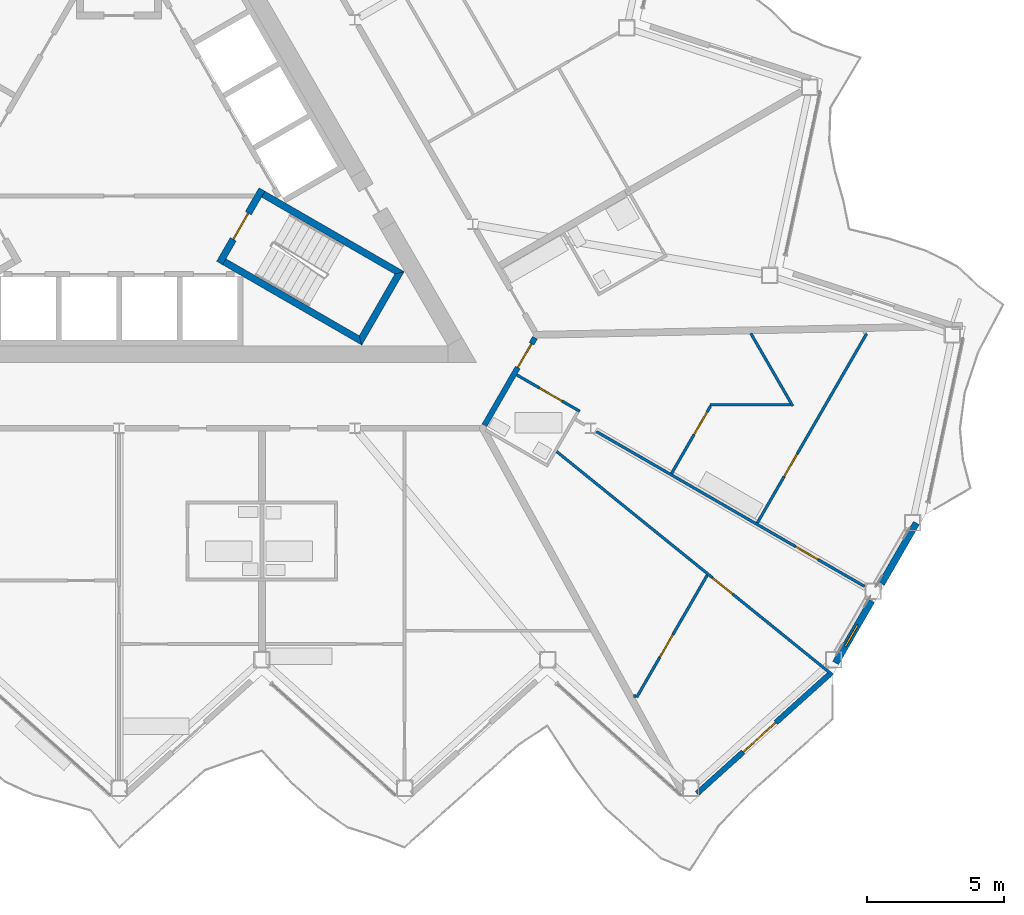
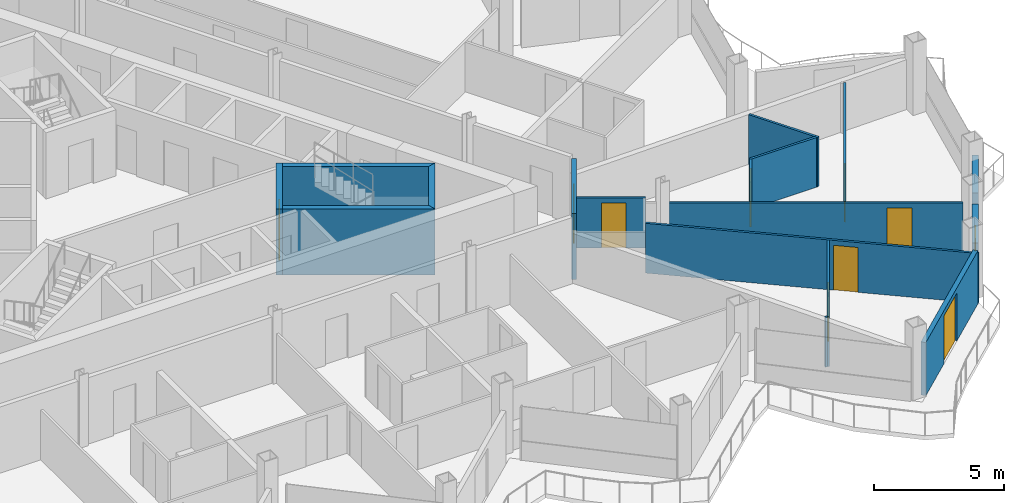
# One storey, part 16 of 27: 17 walls, 9 doors, 1 window, 10 openings.
"""IFC4 building model written with IfcOpenShell, lengths in metres."""

from ifc_helpers import new_model, si_unit, direction, frame, frame_2d, origin, place, context, subcontext, project, spatial, polyline, rectangle, outline, extrude, material, layer, layer_set, type_object, element, fill, save


model = new_model("IFC4")

# Units and contexts
model_context = context("Model", 3, precision=1e-05, world=origin(), true_north=direction((0.0, 1.0)))
body_context = subcontext(model_context, "Body", "Model", "MODEL_VIEW")
ifc_project = project(units=[si_unit("LENGTHUNIT", "METRE"), si_unit("AREAUNIT", "SQUARE_METRE"), si_unit("VOLUMEUNIT", "CUBIC_METRE"), si_unit("PLANEANGLEUNIT", "RADIAN"), si_unit("MASSUNIT", "GRAM", prefix="KILO")], contexts=[model_context])

# Site, building, storey
site_placement = place(None, origin())
site = spatial("IfcSite", under=ifc_project, at=site_placement, CompositionType="ELEMENT")
building_placement = place(site_placement, origin())
building = spatial("IfcBuilding", under=site, at=building_placement, Name="Cormorant Prow Tower", CompositionType="ELEMENT")
storey_placement = place(building_placement, frame((0.0, 0.0, 315.39990234375)))
storey = spatial("IfcBuildingStorey", under=building, at=storey_placement, Name="L69", CompositionType="ELEMENT", Elevation=315.39990234375)

# Wall, opening, door
ifc_material_1 = material(Name="Gypsum board corridor wall")
ifc_layer_1 = layer(ifc_material_1, 0.199951171875)
ifc_layer_set_1 = layer_set([ifc_layer_1], Name="Gypsum board corridor wall")
wall_type_1 = type_object("IfcWallType", Name="Corridor wall 200", PredefinedType="PARTITIONING", material=ifc_layer_set_1)
wall_1_placement = place(storey_placement, frame((13.29345703125, -9.79736328125, 0.0), z_axis=(0.0, 0.0, 1.0), x_axis=(0.499967746641, 0.866044024469, 0.0)))
wall_1 = element("IfcWall", 1, at=wall_1_placement, inside=storey, type_object=wall_type_1, Name="Corridor wall", PredefinedType="PARTITIONING", context=body_context, shape_type="SweptSolid", body=[
    extrude(rectangle(XDim=3.676025390625, YDim=0.199951171875, at=frame_2d((1.837890625, 0.0))), origin(), (0.0, 0.0, 1.0), 3.10009765625),
])
opening_1_placement = place(wall_1_placement, frame((2.426025390625, 0.0, 0.0)))
opening_1 = element("IfcOpeningElement", 2, at=opening_1_placement, cuts=wall_1, Name="Opening L69-F16", PredefinedType="OPENING", context=body_context, shape_type="SweptSolid", body=[
    extrude(rectangle(XDim=1.0, YDim=2.10009765625, at=frame_2d((0.5, 1.050048828125))), frame((0.0, 0.10986328125, 0.0), z_axis=(0.0, -1.0, 0.0), x_axis=(1.0, 0.0, 0.0)), (0.0, 0.0, 1.0), 0.219970703125),
])
ifc_material_2 = material(Name="Timber door leaf", Category="wood")
door_type_1 = type_object("IfcDoorType", Name="Flat or room entrance door 1000x2100", OperationType="NOTDEFINED", PredefinedType="DOOR", material=ifc_material_2)
door_1_placement = place(opening_1_placement, origin())
door_1 = element("IfcDoor", 3, at=door_1_placement, inside=storey, type_object=door_type_1, Name="Living room door", OperationType="SINGLE_SWING_RIGHT", OverallHeight=2.10009765625, OverallWidth=1.0, PredefinedType="DOOR", context=body_context, shape_type="SweptSolid", body=[
    extrude(rectangle(XDim=1.0, YDim=2.10009765625, at=frame_2d((0.5, 1.050048828125))), frame((0.0, 0.02490234375, 0.0), z_axis=(0.0, -1.0, 0.0), x_axis=(1.0, 0.0, 0.0)), (0.0, 0.0, 1.0), 0.050048828125),
])
fill(opening_1, door_1)

ifc_material_3 = material(Name="Gypsum board partition")
ifc_layer_2 = layer(ifc_material_3, 0.10009765625)
ifc_layer_set_2 = layer_set([ifc_layer_2], Name="Gypsum board partition")
wall_type_2 = type_object("IfcWallType", Name="Internal partition 100", PredefinedType="PARTITIONING", material=ifc_layer_set_2)
wall_2_placement = place(storey_placement, frame((15.91748046875, -10.7509765625, 0.0), z_axis=(0.0, 0.0, 1.0), x_axis=(0.777149866095, -0.629315569193, 0.0)))
wall_2 = element("IfcWall", 4, at=wall_2_placement, inside=storey, type_object=wall_type_2, Name="Internal partition", PredefinedType="PARTITIONING", context=body_context, shape_type="SweptSolid", body=[
    extrude(rectangle(XDim=12.927490234375, YDim=0.10009765625, at=frame_2d((6.4638671875, 0.0))), origin(), (0.0, 0.0, 1.0), 2.330078125),
])
opening_2_placement = place(wall_2_placement, frame((7.297607421875, 0.0, 0.0)))
opening_2 = element("IfcOpeningElement", 5, at=opening_2_placement, cuts=wall_2, Name="Opening L69-F21", PredefinedType="OPENING", context=body_context, shape_type="SweptSolid", body=[
    extrude(rectangle(XDim=0.949951171875, YDim=2.10009765625, at=frame_2d((0.47509765625, 1.050048828125))), frame((0.0, 0.06005859375, 0.0), z_axis=(0.0, -1.0, 0.0), x_axis=(1.0, 0.0, 0.0)), (0.0, 0.0, 1.0), 0.1201171875),
])
ifc_material_4 = material(Name="Timber door leaf", Category="wood")
door_type_2 = type_object("IfcDoorType", Name="Bathroom door 950x2100", OperationType="NOTDEFINED", PredefinedType="DOOR", material=ifc_material_4)
door_2_placement = place(opening_2_placement, origin())
door_2 = element("IfcDoor", 6, at=door_2_placement, inside=storey, type_object=door_type_2, Name="Bedroom door", OperationType="SINGLE_SWING_LEFT", OverallHeight=2.10009765625, OverallWidth=0.949951171875, PredefinedType="DOOR", context=body_context, shape_type="SweptSolid", body=[
    extrude(rectangle(XDim=0.949951171875, YDim=2.10009765625, at=frame_2d((0.47509765625, 1.050048828125))), frame((0.0, 0.02490234375, 0.0), z_axis=(0.0, -1.0, 0.0), x_axis=(1.0, 0.0, 0.0)), (0.0, 0.0, 1.0), 0.050048828125),
])
fill(opening_2, door_2)

wall_3_placement = place(storey_placement, frame((17.364501953125, -10.025390625, 0.0), z_axis=(0.0, 0.0, 1.0), x_axis=(0.866021046153, -0.500007547564, 0.0)))
wall_3 = element("IfcWall", 7, at=wall_3_placement, inside=storey, type_object=wall_type_2, Name="Internal partition", PredefinedType="PARTITIONING", context=body_context, shape_type="SweptSolid", body=[
    extrude(rectangle(XDim=11.267333984375, YDim=0.10009765625, at=frame_2d((5.6337890625, 0.0))), origin(), (0.0, 0.0, 1.0), 2.330078125),
])
opening_3_placement = place(wall_3_placement, frame((8.3642578125, 0.0, 0.0)))
opening_3 = element("IfcOpeningElement", 8, at=opening_3_placement, cuts=wall_3, Name="Opening L69-F20", PredefinedType="OPENING", context=body_context, shape_type="SweptSolid", body=[
    extrude(rectangle(XDim=0.949951171875, YDim=2.10009765625, at=frame_2d((0.47509765625, 1.050048828125))), frame((0.0, 0.06005859375, 0.0), z_axis=(0.0, -1.0, 0.0), x_axis=(1.0, 0.0, 0.0)), (0.0, 0.0, 1.0), 0.1201171875),
])
door_3_placement = place(opening_3_placement, origin())
door_3 = element("IfcDoor", 9, at=door_3_placement, inside=storey, type_object=door_type_2, Name="Dining room door", OperationType="SINGLE_SWING_LEFT", OverallHeight=2.10009765625, OverallWidth=0.949951171875, PredefinedType="DOOR", context=body_context, shape_type="SweptSolid", body=[
    extrude(rectangle(XDim=0.949951171875, YDim=2.10009765625, at=frame_2d((0.47509765625, 1.050048828125))), frame((0.0, 0.02490234375, 0.0), z_axis=(0.0, -1.0, 0.0), x_axis=(1.0, 0.0, 0.0)), (0.0, 0.0, 1.0), 0.050048828125),
])
fill(opening_3, door_3)

wall_4_placement = place(storey_placement, frame((23.222900390625, -13.35009765625, 0.0), z_axis=(0.0, 0.0, 1.0), x_axis=(0.500018284498, 0.866014846967, 0.0)))
wall_4 = element("IfcWall", 10, at=wall_4_placement, inside=storey, type_object=wall_type_2, Name="Internal partition", PredefinedType="PARTITIONING", context=body_context, shape_type="SweptSolid", body=[
    extrude(rectangle(XDim=7.953369140625, YDim=0.10009765625, at=frame_2d((3.9765625, 0.0))), origin(), (0.0, 0.0, 1.0), 2.330078125),
])
opening_4_placement = place(wall_4_placement, frame((1.950927734375, 0.0, 0.0)))
opening_4 = element("IfcOpeningElement", 11, at=opening_4_placement, cuts=wall_4, Name="Opening L69-F19", PredefinedType="OPENING", context=body_context, shape_type="SweptSolid", body=[
    extrude(rectangle(XDim=0.949951171875, YDim=2.10009765625, at=frame_2d((0.47509765625, 1.050048828125))), frame((0.0, 0.06005859375, 0.0), z_axis=(0.0, -1.0, 0.0), x_axis=(1.0, 0.0, 0.0)), (0.0, 0.0, 1.0), 0.1201171875),
])
door_4_placement = place(opening_4_placement, origin())
door_4 = element("IfcDoor", 12, at=door_4_placement, inside=storey, type_object=door_type_2, Name="Kitchen door", OperationType="SINGLE_SWING_RIGHT", OverallHeight=2.10009765625, OverallWidth=0.949951171875, PredefinedType="DOOR", context=body_context, shape_type="SweptSolid", body=[
    extrude(rectangle(XDim=0.949951171875, YDim=2.10009765625, at=frame_2d((0.47509765625, 1.050048828125))), frame((0.0, 0.02490234375, 0.0), z_axis=(0.0, -1.0, 0.0), x_axis=(1.0, 0.0, 0.0)), (0.0, 0.0, 1.0), 0.050048828125),
])
fill(opening_4, door_4)

wall_5_placement = place(storey_placement, frame((18.8330078125, -19.6953125, 0.0), z_axis=(0.0, 0.0, 1.0), x_axis=(0.500034163155, 0.866005678779, 0.0)))
wall_5 = element("IfcWall", 13, at=wall_5_placement, inside=storey, type_object=wall_type_2, Name="Internal partition", PredefinedType="PARTITIONING", context=body_context, shape_type="SweptSolid", body=[
    extrude(rectangle(XDim=5.130126953125, YDim=0.10009765625, at=frame_2d((2.56494140625, 0.0))), origin(), (0.0, 0.0, 1.0), 2.330078125),
])
opening_5_placement = place(wall_5_placement, frame((1.68115234375, 0.0, 0.0)))
opening_5 = element("IfcOpeningElement", 14, at=opening_5_placement, cuts=wall_5, Name="Opening L69-F22", PredefinedType="OPENING", context=body_context, shape_type="SweptSolid", body=[
    extrude(rectangle(XDim=0.949951171875, YDim=2.10009765625, at=frame_2d((0.47509765625, 1.050048828125))), frame((0.0, 0.06005859375, 0.0), z_axis=(0.0, -1.0, 0.0), x_axis=(1.0, 0.0, 0.0)), (0.0, 0.0, 1.0), 0.1201171875),
])
door_5_placement = place(opening_5_placement, origin())
door_5 = element("IfcDoor", 15, at=door_5_placement, inside=storey, type_object=door_type_2, Name="Bedroom door", OperationType="SINGLE_SWING_LEFT", OverallHeight=2.10009765625, OverallWidth=0.949951171875, PredefinedType="DOOR", context=body_context, shape_type="SweptSolid", body=[
    extrude(rectangle(XDim=0.949951171875, YDim=2.10009765625, at=frame_2d((0.47509765625, 1.050048828125))), frame((0.0, 0.02490234375, 0.0), z_axis=(0.0, -1.0, 0.0), x_axis=(1.0, 0.0, 0.0)), (0.0, 0.0, 1.0), 0.050048828125),
])
fill(opening_5, door_5)

# Walls
wall_6_placement = place(storey_placement, frame((22.985595703125, -6.4541015625, 0.0), z_axis=(0.0, 0.0, 1.0), x_axis=(0.499978833458, -0.866037623948, 0.0)))
element("IfcWall", 16, at=wall_6_placement, inside=storey, type_object=wall_type_2, Name="Internal partition", PredefinedType="PARTITIONING", context=body_context, shape_type="SweptSolid", body=[
    extrude(rectangle(XDim=3.050048828125, YDim=0.10009765625, at=frame_2d((1.52490234375, 0.0))), origin(), (0.0, 0.0, 1.0), 2.330078125),
])
wall_7_placement = place(storey_placement, frame((21.4951171875, -9.052001953125, 0.0), z_axis=(0.0, 0.0, 1.0), x_axis=(1.0, 0.0, 0.0)))
element("IfcWall", 17, at=wall_7_placement, inside=storey, type_object=wall_type_2, Name="Internal partition", PredefinedType="PARTITIONING", context=body_context, shape_type="SweptSolid", body=[
    extrude(rectangle(XDim=2.9404296875, YDim=0.10009765625, at=frame_2d((1.47021484375, 0.0))), origin(), (0.0, 0.0, 1.0), 2.330078125),
])

# Wall, opening, door
wall_8_placement = place(storey_placement, frame((20.103515625, -11.549072265625, 0.0), z_axis=(0.0, 0.0, 1.0), x_axis=(0.499976073514, 0.866039217307, 0.0)))
wall_8 = element("IfcWall", 18, at=wall_8_placement, inside=storey, type_object=wall_type_2, Name="Internal partition", PredefinedType="PARTITIONING", context=body_context, shape_type="SweptSolid", body=[
    extrude(rectangle(XDim=2.833251953125, YDim=0.10009765625, at=frame_2d((1.41650390625, 0.0))), origin(), (0.0, 0.0, 1.0), 2.330078125),
])
opening_6_placement = place(wall_8_placement, frame((1.633056640625, 0.0, 0.0)))
opening_6 = element("IfcOpeningElement", 19, at=opening_6_placement, cuts=wall_8, Name="Opening L69-F18", PredefinedType="OPENING", context=body_context, shape_type="SweptSolid", body=[
    extrude(rectangle(XDim=0.949951171875, YDim=2.10009765625, at=frame_2d((0.47509765625, 1.050048828125))), frame((0.0, 0.06005859375, 0.0), z_axis=(0.0, -1.0, 0.0), x_axis=(1.0, 0.0, 0.0)), (0.0, 0.0, 1.0), 0.1201171875),
])
door_6_placement = place(opening_6_placement, origin())
door_6 = element("IfcDoor", 20, at=door_6_placement, inside=storey, type_object=door_type_2, Name="Living room door", OperationType="SINGLE_SWING_RIGHT", OverallHeight=2.10009765625, OverallWidth=0.949951171875, PredefinedType="DOOR", context=body_context, shape_type="SweptSolid", body=[
    extrude(rectangle(XDim=0.949951171875, YDim=2.10009765625, at=frame_2d((0.47509765625, 1.050048828125))), frame((0.0, 0.02490234375, 0.0), z_axis=(0.0, -1.0, 0.0), x_axis=(1.0, 0.0, 0.0)), (0.0, 0.0, 1.0), 0.050048828125),
])
fill(opening_6, door_6)

wall_9_placement = place(storey_placement, frame((14.467529296875, -7.963623046875, 0.0), z_axis=(0.0, 0.0, 1.0), x_axis=(0.865989200783, -0.500062700197, 0.0)))
wall_9 = element("IfcWall", 21, at=wall_9_placement, inside=storey, type_object=wall_type_2, Name="Internal partition", PredefinedType="PARTITIONING", context=body_context, shape_type="SweptSolid", body=[
    extrude(rectangle(XDim=2.650146484375, YDim=0.10009765625, at=frame_2d((1.3251953125, 0.0))), origin(), (0.0, 0.0, 1.0), 2.330078125),
])
opening_7_placement = place(wall_9_placement, frame((0.949951171875, 0.0, 0.0)))
opening_7 = element("IfcOpeningElement", 22, at=opening_7_placement, cuts=wall_9, Name="Opening L69-F17", PredefinedType="OPENING", context=body_context, shape_type="SweptSolid", body=[
    extrude(rectangle(XDim=0.949951171875, YDim=2.10009765625, at=frame_2d((0.47509765625, 1.050048828125))), frame((0.0, 0.06005859375, 0.0), z_axis=(0.0, -1.0, 0.0), x_axis=(1.0, 0.0, 0.0)), (0.0, 0.0, 1.0), 0.1201171875),
])
door_7_placement = place(opening_7_placement, origin())
door_7 = element("IfcDoor", 23, at=door_7_placement, inside=storey, type_object=door_type_2, Name="Living room door", OperationType="SINGLE_SWING_RIGHT", OverallHeight=2.10009765625, OverallWidth=0.949951171875, PredefinedType="DOOR", context=body_context, shape_type="SweptSolid", body=[
    extrude(rectangle(XDim=0.949951171875, YDim=2.10009765625, at=frame_2d((0.47509765625, 1.050048828125))), frame((0.0, 0.02490234375, 0.0), z_axis=(0.0, -1.0, 0.0), x_axis=(1.0, 0.0, 0.0)), (0.0, 0.0, 1.0), 0.050048828125),
])
fill(opening_7, door_7)

# Walls
wall_10_placement = place(storey_placement, frame((18.7177734375, -19.652099609375, 0.0), z_axis=(0.0, 0.0, 1.0), x_axis=(1.0, 0.0, 0.0)))
element("IfcWall", 24, at=wall_10_placement, inside=storey, type_object=wall_type_2, Name="Internal partition", PredefinedType="PARTITIONING", context=body_context, shape_type="SweptSolid", body=[
    extrude(rectangle(XDim=0.09033203125, YDim=0.10009765625, at=frame_2d((0.045166015625, 0.0))), origin(), (0.0, 0.0, 1.0), 2.330078125),
])
ifc_material_5 = material(Name="Concrete 8000 psi", Category="concrete")
ifc_layer_3 = layer(ifc_material_5, 0.25)
ifc_layer_set_3 = layer_set([ifc_layer_3], Name="Concrete 8000 psi")
wall_type_3 = type_object("IfcWallType", Name="Stair wall 250", PredefinedType="SHEAR", material=ifc_layer_set_3)
wall_11_placement = place(storey_placement, origin())
element("IfcWall", 25, at=wall_11_placement, inside=storey, type_object=wall_type_3, Name="Stair ST2 enclosure wall (flank)", PredefinedType="SHEAR", context=body_context, shape_type="SweptSolid", body=[
    extrude(outline(polyline([(3.76318359375, -3.95556640625), (8.82958984375, -6.880615234375), (8.738037109375, -6.5390625), (3.88818359375, -3.739013671875), (3.76318359375, -3.95556640625)])), origin(), (0.0, 0.0, 1.0), 3.10009765625),
])
wall_12_placement = place(storey_placement, origin())
element("IfcWall", 26, at=wall_12_placement, inside=storey, type_object=wall_type_3, Name="Stair ST2 enclosure wall (end)", PredefinedType="SHEAR", context=body_context, shape_type="SweptSolid", body=[
    extrude(outline(polyline([(8.82958984375, -6.880615234375), (10.37353515625, -4.206298828125), (10.031982421875, -4.2978515625), (8.738037109375, -6.5390625), (8.82958984375, -6.880615234375)])), origin(), (0.0, 0.0, 1.0), 3.10009765625),
])
wall_13_placement = place(storey_placement, origin())
element("IfcWall", 27, at=wall_13_placement, inside=storey, type_object=wall_type_3, Name="Stair ST2 enclosure wall (flank)", PredefinedType="SHEAR", context=body_context, shape_type="SweptSolid", body=[
    extrude(outline(polyline([(10.031982421875, -4.2978515625), (10.37353515625, -4.206298828125), (5.30712890625, -1.28125), (5.18212890625, -1.497802734375), (10.031982421875, -4.2978515625)])), origin(), (0.0, 0.0, 1.0), 3.10009765625),
])

# Wall, opening, door
wall_14_placement = place(storey_placement, frame((3.655029296875, -3.89306640625, 0.0), z_axis=(0.0, 0.0, 1.0), x_axis=(0.499982516597, 0.866035497597, 0.0)))
wall_14 = element("IfcWall", 28, at=wall_14_placement, inside=storey, type_object=wall_type_3, Name="Stair ST2 door wall", PredefinedType="SHEAR", context=body_context, shape_type="SweptSolid", body=[
    extrude(rectangle(XDim=3.087890625, YDim=0.25, at=frame_2d((1.5439453125, 0.0))), origin(), (0.0, 0.0, 1.0), 3.10009765625),
])
opening_8_placement = place(wall_14_placement, frame((0.993896484375, 0.0, 0.0)))
opening_8 = element("IfcOpeningElement", 29, at=opening_8_placement, cuts=wall_14, Name="Opening L69-C13", PredefinedType="OPENING", context=body_context, shape_type="SweptSolid", body=[
    extrude(rectangle(XDim=1.10009765625, YDim=2.10009765625, at=frame_2d((0.550048828125, 1.050048828125))), frame((0.0, 0.135009765625, 0.0), z_axis=(0.0, -1.0, 0.0), x_axis=(1.0, 0.0, 0.0)), (0.0, 0.0, 1.0), 0.27001953125),
])
ifc_material_6 = material(Name="Painted steel", Category="steel")
door_type_3 = type_object("IfcDoorType", Name="Stair door 1100x2100", OperationType="NOTDEFINED", PredefinedType="DOOR", material=ifc_material_6)
door_8_placement = place(opening_8_placement, origin())
door_8 = element("IfcDoor", 30, at=door_8_placement, inside=storey, type_object=door_type_3, Name="Stair ST2 door", OperationType="SINGLE_SWING_RIGHT", OverallHeight=2.10009765625, OverallWidth=1.10009765625, PredefinedType="DOOR", context=body_context, shape_type="SweptSolid", body=[
    extrude(rectangle(XDim=1.10009765625, YDim=2.10009765625, at=frame_2d((0.550048828125, 1.050048828125))), frame((0.0, 0.02490234375, 0.0), z_axis=(0.0, -1.0, 0.0), x_axis=(1.0, 0.0, 0.0)), (0.0, 0.0, 1.0), 0.050048828125),
])
fill(opening_8, door_8)

# Wall, opening, window
ifc_material_7 = material(Name="Terracotta", Category="masonry")
ifc_layer_4 = layer(ifc_material_7, 0.25)
ifc_layer_set_4 = layer_set([ifc_layer_4], Name="Terracotta")
wall_type_4 = type_object("IfcWallType", Name="Terracotta bay wall 250", PredefinedType="SOLIDWALL", material=ifc_layer_set_4)
wall_15_placement = place(storey_placement, frame((26.07275390625, -18.4482421875, 0.0), z_axis=(0.0, 0.0, 1.0), x_axis=(0.499992367345, 0.866029810455, 0.0)))
wall_15 = element("IfcWall", 31, at=wall_15_placement, inside=storey, type_object=wall_type_4, Name="Terracotta bay wall ESE00", PredefinedType="SOLIDWALL", context=body_context, shape_type="SweptSolid", body=[
    extrude(rectangle(XDim=2.60986328125, YDim=0.25, at=frame_2d((1.304931640625, 0.0))), origin(), (0.0, 0.0, 1.0), 2.488037109375),
])
opening_9_placement = place(wall_15_placement, frame((0.699951171875, 0.0, 1.60009765625)))
opening_9 = element("IfcOpeningElement", 32, at=opening_9_placement, cuts=wall_15, Name="Opening WN7", PredefinedType="OPENING", context=body_context, shape_type="SweptSolid", body=[
    extrude(rectangle(XDim=0.89990234375, YDim=0.60009765625, at=frame_2d((0.449951171875, 0.300048828125))), frame((0.0, 0.135009765625, 0.0), z_axis=(0.0, -1.0, 0.0), x_axis=(1.0, 0.0, 0.0)), (0.0, 0.0, 1.0), 0.27001953125),
])
ifc_material_8 = material(Name="Aluminium 6063-T6", Category="aluminium")
window_type = type_object("IfcWindowType", Name="Corner bay window 900x600", PartitioningType="SINGLE_PANEL", PredefinedType="WINDOW", material=ifc_material_8)
window_placement = place(opening_9_placement, origin())
window = element("IfcWindow", 33, at=window_placement, inside=storey, type_object=window_type, Name="Corner bay window ESE00", OverallHeight=0.60009765625, OverallWidth=0.89990234375, PartitioningType="SINGLE_PANEL", PredefinedType="WINDOW", context=body_context, shape_type="SweptSolid", body=[
    extrude(rectangle(XDim=0.89990234375, YDim=0.60009765625, at=frame_2d((0.449951171875, 0.300048828125))), frame((0.0, 0.030029296875, 0.0), z_axis=(0.0, -1.0, 0.0), x_axis=(1.0, 0.0, 0.0)), (0.0, 0.0, 1.0), 0.06005859375),
])
fill(opening_9, window)

# Wall
wall_16_placement = place(storey_placement, frame((27.738525390625, -15.56298828125, 0.0), z_axis=(0.0, 0.0, 1.0), x_axis=(0.500012659481, 0.866018094706, 0.0)))
element("IfcWall", 34, at=wall_16_placement, inside=storey, type_object=wall_type_4, Name="Terracotta bay wall ESE01", PredefinedType="SOLIDWALL", context=body_context, shape_type="SweptSolid", body=[
    extrude(rectangle(XDim=2.548828125, YDim=0.25, at=frame_2d((1.2744140625, 0.0))), origin(), (0.0, 0.0, 1.0), 2.488037109375),
])

# Wall, opening, door
ifc_material_9 = material(Name="Terracotta", Category="masonry")
ifc_layer_5 = layer(ifc_material_9, 0.199951171875)
ifc_layer_set_5 = layer_set([ifc_layer_5], Name="Terracotta")
wall_type_5 = type_object("IfcWallType", Name="Terracotta jamb wall 200", PredefinedType="SOLIDWALL", material=ifc_layer_set_5)
wall_17_placement = place(storey_placement, frame((21.02685546875, -23.197509765625, 0.0), z_axis=(0.0, 0.0, 1.0), x_axis=(0.74314788005, 0.669127213897, 0.0)))
wall_17 = element("IfcWall", 35, at=wall_17_placement, inside=storey, type_object=wall_type_5, Name="Terracotta jamb wall S09", PredefinedType="SOLIDWALL", context=body_context, shape_type="SweptSolid", body=[
    extrude(rectangle(XDim=6.474609375, YDim=0.199951171875, at=frame_2d((3.2373046875, 0.0))), origin(), (0.0, 0.0, 1.0), 2.488037109375),
])
opening_10_placement = place(wall_17_placement, frame((2.259765625, 0.0, 0.0)))
opening_10 = element("IfcOpeningElement", 36, at=opening_10_placement, cuts=wall_17, Name="Opening ED69.05", PredefinedType="OPENING", context=body_context, shape_type="SweptSolid", body=[
    extrude(rectangle(XDim=1.60009765625, YDim=2.25, at=frame_2d((0.800048828125, 1.125))), frame((0.0, 0.10986328125, 0.0), z_axis=(0.0, -1.0, 0.0), x_axis=(1.0, 0.0, 0.0)), (0.0, 0.0, 1.0), 0.219970703125),
])
ifc_material_10 = material(Name="Aluminium 6063-T6", Category="aluminium")
door_type_4 = type_object("IfcDoorType", Name="Balcony door 1600x2250", OperationType="DOUBLE_DOOR_SINGLE_SWING", PredefinedType="DOOR", material=ifc_material_10)
door_9_placement = place(opening_10_placement, origin())
door_9 = element("IfcDoor", 37, at=door_9_placement, inside=storey, type_object=door_type_4, Name="Balcony door S09 ED69.05", OperationType="DOUBLE_DOOR_SINGLE_SWING", OverallHeight=2.25, OverallWidth=1.60009765625, PredefinedType="DOOR", context=body_context, shape_type="SweptSolid", body=[
    extrude(rectangle(XDim=1.60009765625, YDim=2.25, at=frame_2d((0.800048828125, 1.125))), frame((0.0, 0.02490234375, 0.0), z_axis=(0.0, -1.0, 0.0), x_axis=(1.0, 0.0, 0.0)), (0.0, 0.0, 1.0), 0.050048828125),
])
fill(opening_10, door_9)

save(model, "model.ifc")
